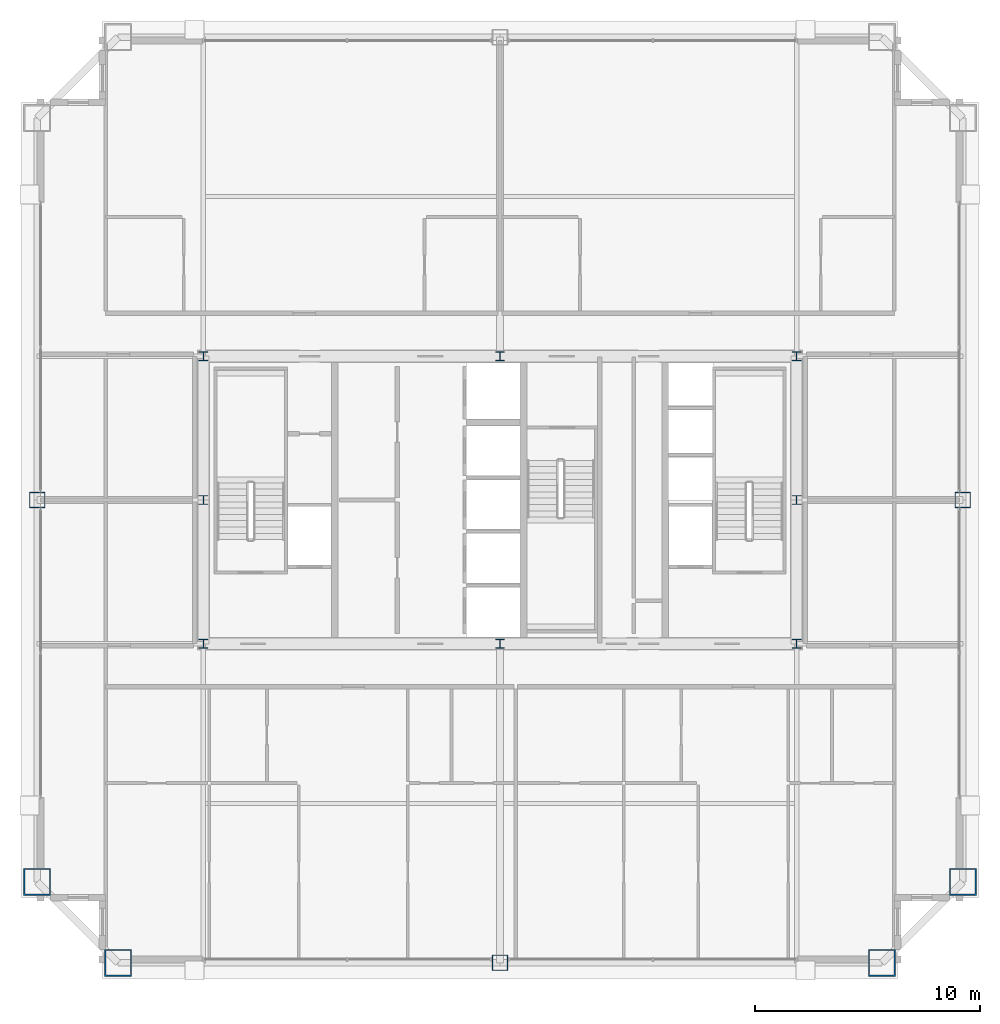
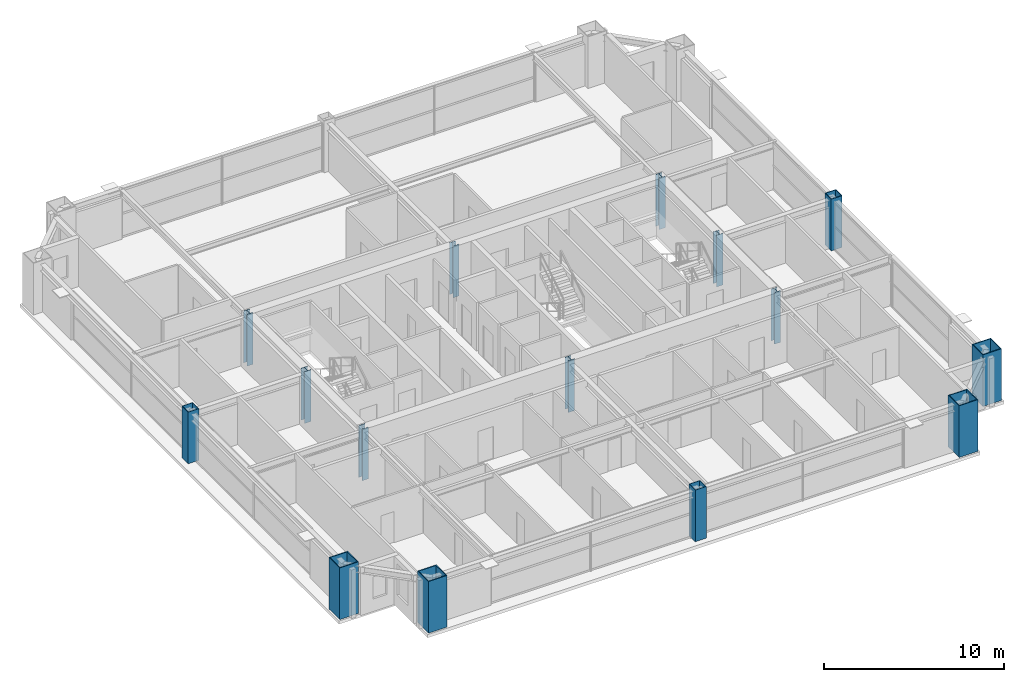
# One storey, part 1 of 36: 15 columns.
"""IFC4 building model written with IfcOpenShell, lengths in metres."""

from ifc_helpers import new_model, si_unit, direction, frame, origin, origin_2d, place, context, subcontext, project, spatial, hollow_rectangle, i_section, extrude, source, transform, mapped, material, material_profile, profile_set, type_object, element, save


model = new_model("IFC4")

# Units and contexts
model_context = context("Model", 3, precision=1e-05, world=origin(), true_north=direction((0.0, 1.0)))
body_context = subcontext(model_context, "Body", "Model", "MODEL_VIEW")
ifc_project = project(units=[si_unit("LENGTHUNIT", "METRE"), si_unit("AREAUNIT", "SQUARE_METRE"), si_unit("VOLUMEUNIT", "CUBIC_METRE"), si_unit("PLANEANGLEUNIT", "RADIAN"), si_unit("MASSUNIT", "GRAM", prefix="KILO"), si_unit("THERMODYNAMICTEMPERATUREUNIT", "KELVIN"), si_unit("POWERUNIT", "WATT")], contexts=[model_context])

# Site, building, storey
site_placement = place(None, origin())
site = spatial("IfcSite", under=ifc_project, at=site_placement, CompositionType="ELEMENT")
building_placement = place(site_placement, origin())
building = spatial("IfcBuilding", under=site, at=building_placement, Name="Yuzanri Waterfront Tower", CompositionType="ELEMENT")
storey_placement = place(building_placement, frame((0.0, 0.0, 224.10009765625)))
storey = spatial("IfcBuildingStorey", under=building, at=storey_placement, Name="L59", CompositionType="ELEMENT", Elevation=224.10009765625)

# Columns
ifc_material_1 = material(Name="Steel Q355B", Category="steel")
ifc_material_profile_1 = material_profile(ifc_material_1, i_section(OverallWidth=0.39990234375, OverallDepth=0.39990234375, WebThickness=0.012939453125, FlangeThickness=0.02099609375, at=origin_2d()), Name="HW 400x400x13x21")
ifc_profile_set_1 = profile_set([ifc_material_profile_1], Name="Steel Q355B")
column_type_1 = type_object("IfcColumnType", Name="Core Post Q355B HW 400x400x13x21", PredefinedType="COLUMN", material=ifc_profile_set_1)
shared_shape_1 = source(origin(), body_context, "Body", "SweptSolid", [
    extrude(i_section(OverallWidth=0.39990234375, OverallDepth=0.39990234375, WebThickness=0.012939453125, FlangeThickness=0.02099609375, at=origin_2d()), origin(), (0.0, 0.0, 1.0), 3.5),
])
for number, where, z_axis, x_axis, name in (
    (1, (23.800048828125, 19.39990234375, 0.0), (0.0, 0.0, 1.0), (1.0, 0.0, 0.0), "L59 Core Boundary Column CP1"),
    (2, (37.0, 19.39990234375, 0.0), (0.0, 0.0, 1.0), (1.0, 0.0, 0.0), "L59 Core Boundary Column CP2"),
    (3, (50.199951171875, 19.39990234375, 0.0), (0.0, 0.0, 1.0), (1.0, 0.0, 0.0), "L59 Core Boundary Column CP3"),
    (4, (23.800048828125, 25.800048828125, 0.0), (0.0, 0.0, 1.0), (1.0, 0.0, 0.0), "L59 Core Boundary Column CP4"),
    (5, (50.199951171875, 25.800048828125, 0.0), (0.0, 0.0, 1.0), (1.0, 0.0, 0.0), "L59 Core Boundary Column CP5"),
    (6, (23.800048828125, 32.199951171875, 0.0), (0.0, 0.0, 1.0), (1.0, 0.0, 0.0), "L59 Core Boundary Column CP6"),
    (7, (37.0, 32.199951171875, 0.0), (0.0, 0.0, 1.0), (1.0, 0.0, 0.0), "L59 Core Boundary Column CP7"),
    (8, (50.199951171875, 32.199951171875, 0.0), (0.0, 0.0, 1.0), (1.0, 0.0, 0.0), "L59 Core Boundary Column CP8"),
):
    element("IfcColumn", number, at=place(storey_placement, frame(where, z_axis=z_axis, x_axis=x_axis)), inside=storey, type_object=column_type_1, Name=name, PredefinedType="COLUMN", context=body_context, shape_type="MappedRepresentation", body=[
        mapped(shared_shape_1, transform((0.0, 0.0, 0.0), scale=1.0)),
    ])
ifc_material_2 = material(Name="Steel Q390GJC", Category="steel")
ifc_material_profile_2 = material_profile(ifc_material_2, hollow_rectangle(XDim=1.199951171875, YDim=1.199951171875, WallThickness=0.054931640625, at=origin_2d()), Name="RHS 1200x1200x55")
ifc_profile_set_2 = profile_set([ifc_material_profile_2], Name="Steel Q390GJC")
column_type_2 = type_object("IfcColumnType", Name="Mega Column Q390GJC RHS 1200x1200x55", PredefinedType="COLUMN", material=ifc_profile_set_2)
shared_shape_2 = source(origin(), body_context, "Body", "SweptSolid", [
    extrude(hollow_rectangle(XDim=1.199951171875, YDim=1.199951171875, WallThickness=0.054931640625, at=origin_2d()), origin(), (0.0, 0.0, 1.0), 3.5),
])
for number, where, z_axis, x_axis, name in (
    (9, (20.0, 5.199951171875, 0.0), (0.0, 0.0, 1.0), (1.0, 0.0, 0.0), "L59 Perimeter Mega Column S1"),
    (10, (54.0, 5.199951171875, 0.0), (0.0, 0.0, 1.0), (1.0, 0.0, 0.0), "L59 Perimeter Mega Column S3"),
    (11, (16.39990234375, 8.800048828125, 0.0), (0.0, 0.0, 1.0), (1.0, 0.0, 0.0), "L59 Perimeter Mega Column W1"),
    (12, (57.60009765625, 8.800048828125, 0.0), (0.0, 0.0, 1.0), (1.0, 0.0, 0.0), "L59 Perimeter Mega Column E1"),
):
    element("IfcColumn", number, at=place(storey_placement, frame(where, z_axis=z_axis, x_axis=x_axis)), inside=storey, type_object=column_type_2, Name=name, PredefinedType="COLUMN", context=body_context, shape_type="MappedRepresentation", body=[
        mapped(shared_shape_2, transform((0.0, 0.0, 0.0), scale=1.0)),
    ])
ifc_material_3 = material(Name="Steel Q355B", Category="steel")
ifc_material_profile_3 = material_profile(ifc_material_3, hollow_rectangle(XDim=0.699951171875, YDim=0.699951171875, WallThickness=0.031982421875, at=origin_2d()), Name="RHS 700x700x32")
ifc_profile_set_3 = profile_set([ifc_material_profile_3], Name="Steel Q355B")
column_type_3 = type_object("IfcColumnType", Name="Frame Column Q355B RHS 700x700x32", PredefinedType="COLUMN", material=ifc_profile_set_3)
shared_shape_3 = source(origin(), body_context, "Body", "SweptSolid", [
    extrude(hollow_rectangle(XDim=0.699951171875, YDim=0.699951171875, WallThickness=0.031982421875, at=origin_2d()), origin(), (0.0, 0.0, 1.0), 3.5),
])
for number, where, z_axis, x_axis, name in (
    (13, (37.0, 5.199951171875, 0.0), (0.0, 0.0, 1.0), (1.0, 0.0, 0.0), "L59 Perimeter Frame Column S2"),
    (14, (16.39990234375, 25.800048828125, 0.0), (0.0, 0.0, 1.0), (1.0, 0.0, 0.0), "L59 Perimeter Frame Column W2"),
    (15, (57.60009765625, 25.800048828125, 0.0), (0.0, 0.0, 1.0), (1.0, 0.0, 0.0), "L59 Perimeter Frame Column E2"),
):
    element("IfcColumn", number, at=place(storey_placement, frame(where, z_axis=z_axis, x_axis=x_axis)), inside=storey, type_object=column_type_3, Name=name, PredefinedType="COLUMN", context=body_context, shape_type="MappedRepresentation", body=[
        mapped(shared_shape_3, transform((0.0, 0.0, 0.0), scale=1.0)),
    ])

save(model, "model.ifc")
